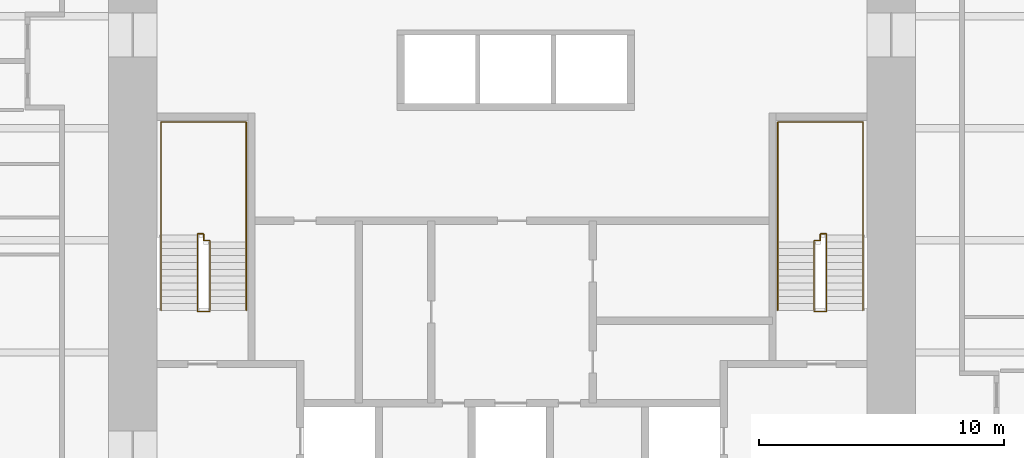
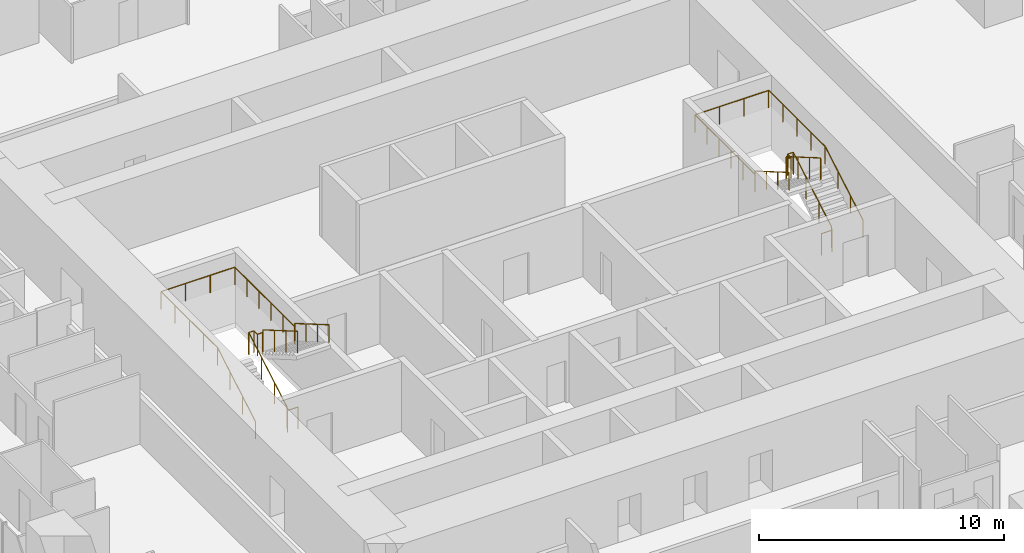
# One storey, part 13 of 13: 4 railings.
"""IFC4 building model written with IfcOpenShell, lengths in metres."""

import ifcopenshell
import ifcopenshell.guid

model = None  # the IFC model being written
_history = None  # IfcOwnerHistory: only IFC2X3 demands one
_inside = {}  # id of a spatial element -> (the spatial element, [elements in it])
_under = {}  # id of a project, library or spatial element -> (it, [spatial elements below it])
_declared = {}  # id of a project -> (the project, [libraries it declares])
_typed = {}  # id of a type object -> (the type object, [elements of that type])
_made_of = {}  # id of a material, layer set ... -> (it, [elements and type objects made of it])


def new_model(schema):
    """Start an empty IFC model of exactly this schema.

    Asked for "IFC4X3", IfcOpenShell would pick the latest addendum, in which some entities
    have other attributes; the version numbers below select the first issue.
    IFC2X3 requires an IfcOwnerHistory on every rooted entity: one is made here for all.
    """
    global model, _history
    if schema == "IFC4X3":
        model = ifcopenshell.file(schema_version=(4, 3, 0, 0))
    else:
        model = ifcopenshell.file(schema=schema)
    _inside.clear()
    _under.clear()
    _declared.clear()
    _typed.clear()
    _made_of.clear()
    _history = None
    if model.schema == "IFC2X3":
        org = make("IfcOrganization", Name="unknown")
        user = make(
            "IfcPersonAndOrganization",
            ThePerson=make("IfcPerson", FamilyName="unknown"),
            TheOrganization=org,
        )
        app = make(
            "IfcApplication",
            ApplicationDeveloper=org,
            Version="unknown",
            ApplicationFullName="unknown",
            ApplicationIdentifier="unknown",
        )
        _history = make(
            "IfcOwnerHistory",
            OwningUser=user,
            OwningApplication=app,
            ChangeAction="ADDED",
            CreationDate=0,
        )
    return model


def make(cls, **values):
    """One entity of the class cls with the attributes given. An attribute that is None is left unset."""
    return model.create_entity(
        cls, **{name: value for name, value in values.items() if value is not None}
    )


def rooted(cls, **values):
    """An entity with a GlobalId (a new one), such as an element, a storey or a relation."""
    return make(cls, GlobalId=ifcopenshell.guid.new(), OwnerHistory=_history, **values)


def si_unit(unit_type, name, prefix=None):
    """IfcSIUnit, for example si_unit("LENGTHUNIT", "METRE", prefix="MILLI")."""
    return make("IfcSIUnit", UnitType=unit_type, Prefix=prefix, Name=name)


def assignment(units):
    """IfcUnitAssignment: the units of a project."""
    return None if units is None else make("IfcUnitAssignment", Units=units)


def point(xyz):
    """IfcCartesianPoint."""
    return None if xyz is None else make("IfcCartesianPoint", Coordinates=xyz)


def direction(xyz):
    """IfcDirection."""
    return None if xyz is None else make("IfcDirection", DirectionRatios=xyz)


def frame(location, z_axis=None, x_axis=None):
    """IfcAxis2Placement3D, a coordinate frame: its origin and axes. An axis left out is left unset."""
    return make(
        "IfcAxis2Placement3D",
        Location=point(location),
        Axis=direction(z_axis),
        RefDirection=direction(x_axis),
    )


def frame_2d(location, x_axis=None):
    """IfcAxis2Placement2D, a coordinate frame in the plane: its origin and x axis."""
    return make(
        "IfcAxis2Placement2D", Location=point(location), RefDirection=direction(x_axis)
    )


def origin():
    """The frame at (0, 0, 0) with its axes left unset."""
    return frame((0.0, 0.0, 0.0))


def origin_2d():
    """The frame at (0, 0) in the plane with its x axis left unset."""
    return frame_2d((0.0, 0.0))


def place(relative_to, where):
    """IfcLocalPlacement: puts the frame where relative to a parent placement (None: the world)."""
    return make(
        "IfcLocalPlacement", PlacementRelTo=relative_to, RelativePlacement=where
    )


def context(
    kind, dimensions, precision=None, world=None, true_north=None, identifier=None
):
    """IfcGeometricRepresentationContext, for example the 3D "Model" context."""
    return make(
        "IfcGeometricRepresentationContext",
        ContextIdentifier=identifier,
        ContextType=kind,
        CoordinateSpaceDimension=dimensions,
        Precision=precision,
        WorldCoordinateSystem=world,
        TrueNorth=true_north,
    )


def subcontext(parent, identifier, kind, view, scale=None):
    """IfcGeometricRepresentationSubContext, for example "Body" below "Model"."""
    return make(
        "IfcGeometricRepresentationSubContext",
        ContextIdentifier=identifier,
        ContextType=kind,
        ParentContext=parent,
        TargetScale=scale,
        TargetView=view,
    )


def project(units=None, contexts=None):
    """IfcProject with its units and contexts."""
    return rooted(
        "IfcProject",
        Name="project",
        RepresentationContexts=contexts,
        UnitsInContext=assignment(units),
    )


def spatial(cls, under=None, at=None, **own):
    """A site, building, storey or space (cls), placed at a placement, below another one or the project."""
    s = rooted(cls, ObjectPlacement=at, **own)
    if under is not None:
        _under.setdefault(under.id(), (under, []))[1].append(s)
    return s


def profile(cls, at=None, kind="AREA", **sizes):
    """A parametric profile (cls). Its sizes go by their IFC names, for example OverallWidth=200.0."""
    return make(cls, ProfileType=kind, Position=at, **sizes)


def circle(**sizes):
    """IfcCircleProfileDef."""
    return profile("IfcCircleProfileDef", **sizes)


def extrude(swept, where, along, depth):
    """IfcExtrudedAreaSolid: the profile swept, set in the frame where, extruded along a direction by depth."""
    return make(
        "IfcExtrudedAreaSolid",
        SweptArea=swept,
        Position=where,
        ExtrudedDirection=direction(along),
        Depth=depth,
    )


def shape(context_of_items, identifier, shape_type, items):
    """IfcShapeRepresentation: the items that make up one representation, for example the "Body"."""
    return make(
        "IfcShapeRepresentation",
        ContextOfItems=context_of_items,
        RepresentationIdentifier=identifier,
        RepresentationType=shape_type,
        Items=items,
    )


def material(Name=None, Category=None):
    """IfcMaterial."""
    return make("IfcMaterial", Name=Name, Category=Category)


def made_of(thing, what):
    """Note that an element or type object is made of a material, layer set ...; save() writes the relation."""
    if what is not None:
        _made_of.setdefault(what.id(), (what, []))[1].append(thing)
    return thing


def type_object(cls, material=None, **own):
    """A type object (cls), such as IfcWallType, which elements share."""
    return made_of(rooted(cls, **own), material)


def element(
    cls,
    number,
    at=None,
    inside=None,
    cuts=None,
    type_object=None,
    material=None,
    context=None,
    identifier="Body",
    shape_type=None,
    held_by="IfcProductDefinitionShape",
    body=None,
    shapes=None,
    **own,
):
    """One element of the class cls, such as IfcWall. Its Tag is "e" and its number.

    at: its placement. inside: the storey or other place that contains it. cuts: it is an
    opening in that element (IfcRelVoidsElement). A single representation is given by context,
    identifier, shape_type and body (its items); several are given by shapes. held_by: the class
    of the entity that holds the representations. save() writes the other relations.
    """
    e = rooted(cls, Tag="e%d" % number, ObjectPlacement=at, **own)
    if body is not None:
        shapes = [shape(context, identifier, shape_type, body)]
    if shapes is not None:
        e.Representation = make(held_by, Representations=shapes)
    if inside is not None:
        _inside.setdefault(inside.id(), (inside, []))[1].append(e)
    if cuts is not None:
        rooted(
            "IfcRelVoidsElement", RelatingBuildingElement=cuts, RelatedOpeningElement=e
        )
    if type_object is not None:
        _typed.setdefault(type_object.id(), (type_object, []))[1].append(e)
    return made_of(e, material)


def aggregate(whole, parts):
    """IfcRelAggregates: a whole, such as a stair, and the parts it consists of."""
    return rooted("IfcRelAggregates", RelatingObject=whole, RelatedObjects=parts)


def save(model, path):
    """Write the relations noted so far, then the file.

    IfcRelAggregates (storeys below a building ...), IfcRelContainedInSpatialStructure (elements
    in a storey), IfcRelDefinesByType, IfcRelAssociatesMaterial and IfcRelDeclares: one each for
    every whole, place, type object, material and project.
    """
    for whole, parts in _under.values():
        aggregate(whole, parts)
    for where, things in _inside.values():
        rooted(
            "IfcRelContainedInSpatialStructure",
            RelatedElements=things,
            RelatingStructure=where,
        )
    for kind, things in _typed.values():
        rooted("IfcRelDefinesByType", RelatedObjects=things, RelatingType=kind)
    for what, things in _made_of.values():
        rooted("IfcRelAssociatesMaterial", RelatedObjects=things, RelatingMaterial=what)
    for by, libraries in _declared.values():
        rooted("IfcRelDeclares", RelatingContext=by, RelatedDefinitions=libraries)
    model.write(path)


model = new_model("IFC4")

# Units and contexts
model_context = context("Model", 3, precision=1e-05, world=origin(), true_north=direction((0.0, 1.0)))
body_context = subcontext(model_context, "Body", "Model", "MODEL_VIEW")
ifc_project = project(units=[si_unit("LENGTHUNIT", "METRE"), si_unit("AREAUNIT", "SQUARE_METRE"), si_unit("VOLUMEUNIT", "CUBIC_METRE"), si_unit("PLANEANGLEUNIT", "RADIAN"), si_unit("MASSUNIT", "GRAM", prefix="KILO")], contexts=[model_context])

# Site, building, storey
site_placement = place(None, origin())
site = spatial("IfcSite", under=ifc_project, at=site_placement, CompositionType="ELEMENT")
building_placement = place(site_placement, origin())
building = spatial("IfcBuilding", under=site, at=building_placement, Name="Khuree Lantern Residences", CompositionType="ELEMENT")
storey_placement = place(building_placement, frame((0.0, 0.0, 144.75)))
storey = spatial("IfcBuildingStorey", under=building, at=storey_placement, Name="L36", CompositionType="ELEMENT", Elevation=144.75)

# Railings
ifc_material = material(Name="Steel S355", Category="steel")
railing_type_1 = type_object("IfcRailingType", Name="STAIR GUARD G1 1100", PredefinedType="GUARDRAIL", material=ifc_material)
railing_1_placement = place(storey_placement, frame((-12.35009765625, -2.909912109375, 0.0)))
element("IfcRailing", 1, at=railing_1_placement, inside=storey, type_object=railing_type_1, Name="Stair ST1 guard", PredefinedType="GUARDRAIL", context=body_context, shape_type="SweptSolid", body=[
    extrude(circle(Radius=0.02392578125, at=origin_2d()), frame((0.0, 0.0, 1.076171875), z_axis=(-1.0, 0.0, 0.0), x_axis=(0.0, -1.0, 0.0)), (0.0, 0.0, 1.0), 0.5),
    extrude(circle(Radius=0.02392578125, at=origin_2d()), frame((-0.5, 0.0, 1.076171875), z_axis=(0.0, 0.292073035251, 0.95639601739), x_axis=(-1.0, 0.0, 0.0)), (0.0, 0.0, 1.0), 0.17041015625),
    extrude(circle(Radius=0.02392578125, at=origin_2d()), frame((-0.5, 0.0498046875, 1.2392578125), z_axis=(0.0, 0.864176135923, 0.503189433615), x_axis=(-1.0, 0.0, 0.0)), (0.0, 0.0, 1.0), 3.564208984375),
    extrude(circle(Radius=0.02392578125, at=origin_2d()), frame((-0.5, 3.1298828125, 3.03271484375), z_axis=(0.0, 1.0, 0.0), x_axis=(-1.0, 0.0, 0.0)), (0.0, 0.0, 1.0), 0.050048828125),
    extrude(circle(Radius=0.02392578125, at=origin_2d()), frame((-0.5, 3.179931640625, 3.03271484375), z_axis=(1.0, 0.0, 0.0), x_axis=(0.0, 1.0, 0.0)), (0.0, 0.0, 1.0), 0.25),
    extrude(circle(Radius=0.02392578125, at=origin_2d()), frame((-0.25, 3.179931640625, 3.03271484375), z_axis=(0.0, -1.0, 0.0), x_axis=(1.0, 0.0, 0.0)), (0.0, 0.0, 1.0), 0.280029296875),
    extrude(circle(Radius=0.02392578125, at=origin_2d()), frame((-0.25, 2.89990234375, 3.03271484375), z_axis=(1.0, 0.0, 0.0), x_axis=(0.0, 1.0, 0.0)), (0.0, 0.0, 1.0), 0.25),
    extrude(circle(Radius=0.02392578125, at=origin_2d()), frame((0.0, 2.89990234375, 3.03271484375), z_axis=(0.0, -0.293381807449, 0.955995353053), x_axis=(1.0, 0.0, 0.0)), (0.0, 0.0, 1.0), 0.170654296875),
    extrude(circle(Radius=0.02392578125, at=origin_2d()), frame((0.0, 2.849853515625, 3.19580078125), z_axis=(0.0, -0.864180358799, 0.503182181189), x_axis=(1.0, 0.0, 0.0)), (0.0, 0.0, 1.0), 3.240234375),
    extrude(circle(Radius=0.02099609375, at=origin_2d()), origin(), (0.0, 0.0, 1.0), 1.052001953125),
    extrude(circle(Radius=0.02099609375, at=origin_2d()), frame((-0.5, 0.0, 0.0)), (0.0, 0.0, 1.0), 1.052001953125),
    extrude(circle(Radius=0.02099609375, at=origin_2d()), frame((-0.5, 0.0498046875, 0.1630859375)), (0.0, 0.0, 1.0), 1.052001953125),
    extrude(circle(Radius=0.02099609375, at=origin_2d()), frame((-0.5, 1.076416015625, 0.760986328125)), (0.0, 0.0, 1.0), 1.052001953125),
    extrude(circle(Radius=0.02099609375, at=origin_2d()), frame((-0.5, 2.103271484375, 1.358642578125)), (0.0, 0.0, 1.0), 1.052001953125),
    extrude(circle(Radius=0.02099609375, at=origin_2d()), frame((-0.5, 3.1298828125, 1.95654296875)), (0.0, 0.0, 1.0), 1.052001953125),
    extrude(circle(Radius=0.02099609375, at=origin_2d()), frame((-0.5, 3.179931640625, 1.95654296875)), (0.0, 0.0, 1.0), 1.052001953125),
    extrude(circle(Radius=0.02099609375, at=origin_2d()), frame((-0.25, 3.179931640625, 1.95654296875)), (0.0, 0.0, 1.0), 1.052001953125),
    extrude(circle(Radius=0.02099609375, at=origin_2d()), frame((-0.25, 2.89990234375, 1.95654296875)), (0.0, 0.0, 1.0), 1.052001953125),
    extrude(circle(Radius=0.02099609375, at=origin_2d()), frame((0.0, 2.89990234375, 1.95654296875)), (0.0, 0.0, 1.0), 1.052001953125),
    extrude(circle(Radius=0.02099609375, at=origin_2d()), frame((0.0, 2.849853515625, 2.11962890625)), (0.0, 0.0, 1.0), 1.052001953125),
    extrude(circle(Radius=0.02099609375, at=origin_2d()), frame((0.0, 1.91650390625, 2.6630859375)), (0.0, 0.0, 1.0), 1.052001953125),
    extrude(circle(Radius=0.02099609375, at=origin_2d()), frame((0.0, 0.983154296875, 3.20654296875)), (0.0, 0.0, 1.0), 1.052001953125),
    extrude(circle(Radius=0.02099609375, at=origin_2d()), frame((0.0, 0.0498046875, 3.75)), (0.0, 0.0, 1.0), 1.052001953125),
])
railing_2_placement = place(storey_placement, frame((12.35009765625, -2.909912109375, 0.0)))
element("IfcRailing", 2, at=railing_2_placement, inside=storey, type_object=railing_type_1, Name="Stair ST2 guard", PredefinedType="GUARDRAIL", context=body_context, shape_type="SweptSolid", body=[
    extrude(circle(Radius=0.02392578125, at=origin_2d()), frame((0.0, 0.0, 1.076171875), z_axis=(1.0, 0.0, 0.0), x_axis=(0.0, 1.0, 0.0)), (0.0, 0.0, 1.0), 0.5),
    extrude(circle(Radius=0.02392578125, at=origin_2d()), frame((0.5, 0.0, 1.076171875), z_axis=(0.0, 0.292073035251, 0.95639601739), x_axis=(-1.0, 0.0, 0.0)), (0.0, 0.0, 1.0), 0.17041015625),
    extrude(circle(Radius=0.02392578125, at=origin_2d()), frame((0.5, 0.0498046875, 1.2392578125), z_axis=(0.0, 0.864176135923, 0.503189433615), x_axis=(-1.0, 0.0, 0.0)), (0.0, 0.0, 1.0), 3.564208984375),
    extrude(circle(Radius=0.02392578125, at=origin_2d()), frame((0.5, 3.1298828125, 3.03271484375), z_axis=(0.0, 1.0, 0.0), x_axis=(-1.0, 0.0, 0.0)), (0.0, 0.0, 1.0), 0.050048828125),
    extrude(circle(Radius=0.02392578125, at=origin_2d()), frame((0.5, 3.179931640625, 3.03271484375), z_axis=(-1.0, 0.0, 0.0), x_axis=(0.0, -1.0, 0.0)), (0.0, 0.0, 1.0), 0.25),
    extrude(circle(Radius=0.02392578125, at=origin_2d()), frame((0.25, 3.179931640625, 3.03271484375), z_axis=(0.0, -1.0, 0.0), x_axis=(1.0, 0.0, 0.0)), (0.0, 0.0, 1.0), 0.280029296875),
    extrude(circle(Radius=0.02392578125, at=origin_2d()), frame((0.25, 2.89990234375, 3.03271484375), z_axis=(-1.0, 0.0, 0.0), x_axis=(0.0, -1.0, 0.0)), (0.0, 0.0, 1.0), 0.25),
    extrude(circle(Radius=0.02392578125, at=origin_2d()), frame((0.0, 2.89990234375, 3.03271484375), z_axis=(0.0, -0.293381807449, 0.955995353053), x_axis=(1.0, 0.0, 0.0)), (0.0, 0.0, 1.0), 0.170654296875),
    extrude(circle(Radius=0.02392578125, at=origin_2d()), frame((0.0, 2.849853515625, 3.19580078125), z_axis=(0.0, -0.864180358799, 0.503182181189), x_axis=(1.0, 0.0, 0.0)), (0.0, 0.0, 1.0), 3.240234375),
    extrude(circle(Radius=0.02099609375, at=origin_2d()), origin(), (0.0, 0.0, 1.0), 1.052001953125),
    extrude(circle(Radius=0.02099609375, at=origin_2d()), frame((0.5, 0.0, 0.0)), (0.0, 0.0, 1.0), 1.052001953125),
    extrude(circle(Radius=0.02099609375, at=origin_2d()), frame((0.5, 0.0498046875, 0.1630859375)), (0.0, 0.0, 1.0), 1.052001953125),
    extrude(circle(Radius=0.02099609375, at=origin_2d()), frame((0.5, 1.076416015625, 0.760986328125)), (0.0, 0.0, 1.0), 1.052001953125),
    extrude(circle(Radius=0.02099609375, at=origin_2d()), frame((0.5, 2.103271484375, 1.358642578125)), (0.0, 0.0, 1.0), 1.052001953125),
    extrude(circle(Radius=0.02099609375, at=origin_2d()), frame((0.5, 3.1298828125, 1.95654296875)), (0.0, 0.0, 1.0), 1.052001953125),
    extrude(circle(Radius=0.02099609375, at=origin_2d()), frame((0.5, 3.179931640625, 1.95654296875)), (0.0, 0.0, 1.0), 1.052001953125),
    extrude(circle(Radius=0.02099609375, at=origin_2d()), frame((0.25, 3.179931640625, 1.95654296875)), (0.0, 0.0, 1.0), 1.052001953125),
    extrude(circle(Radius=0.02099609375, at=origin_2d()), frame((0.25, 2.89990234375, 1.95654296875)), (0.0, 0.0, 1.0), 1.052001953125),
    extrude(circle(Radius=0.02099609375, at=origin_2d()), frame((0.0, 2.89990234375, 1.95654296875)), (0.0, 0.0, 1.0), 1.052001953125),
    extrude(circle(Radius=0.02099609375, at=origin_2d()), frame((0.0, 2.849853515625, 2.11962890625)), (0.0, 0.0, 1.0), 1.052001953125),
    extrude(circle(Radius=0.02099609375, at=origin_2d()), frame((0.0, 1.91650390625, 2.6630859375)), (0.0, 0.0, 1.0), 1.052001953125),
    extrude(circle(Radius=0.02099609375, at=origin_2d()), frame((0.0, 0.983154296875, 3.20654296875)), (0.0, 0.0, 1.0), 1.052001953125),
    extrude(circle(Radius=0.02099609375, at=origin_2d()), frame((0.0, 0.0498046875, 3.75)), (0.0, 0.0, 1.0), 1.052001953125),
])
railing_type_2 = type_object("IfcRailingType", Name="STAIR HANDRAIL H1 900", PredefinedType="HANDRAIL", material=ifc_material)
railing_3_placement = place(storey_placement, frame((-14.340087890625, -2.860107421875, 0.1630859375)))
element("IfcRailing", 3, at=railing_3_placement, inside=storey, type_object=railing_type_2, Name="Stair ST1 handrail", PredefinedType="HANDRAIL", context=body_context, shape_type="SweptSolid", body=[
    extrude(circle(Radius=0.02392578125, at=origin_2d()), frame((0.0, 0.0, 0.8759765625), z_axis=(0.0, 0.864176135923, 0.503189433615), x_axis=(-1.0, 0.0, 0.0)), (0.0, 0.0, 1.0), 3.564208984375),
    extrude(circle(Radius=0.02392578125, at=origin_2d()), frame((0.0, 3.080078125, 2.66943359375), z_axis=(0.0, 1.0, 0.0), x_axis=(-1.0, 0.0, 0.0)), (0.0, 0.0, 1.0), 4.6201171875),
    extrude(circle(Radius=0.02392578125, at=origin_2d()), frame((0.0, 7.7001953125, 2.66943359375), z_axis=(1.0, 0.0, 0.0), x_axis=(0.0, 1.0, 0.0)), (0.0, 0.0, 1.0), 3.47998046875),
    extrude(circle(Radius=0.02392578125, at=origin_2d()), frame((3.47998046875, 7.7001953125, 2.66943359375), z_axis=(0.0, -1.0, 0.0), x_axis=(1.0, 0.0, 0.0)), (0.0, 0.0, 1.0), 4.900146484375),
    extrude(circle(Radius=0.02392578125, at=origin_2d()), frame((3.47998046875, 2.800048828125, 2.66943359375), z_axis=(0.0, 0.0, 1.0), x_axis=(1.0, 0.0, 0.0)), (0.0, 0.0, 1.0), 0.1630859375),
    extrude(circle(Radius=0.02392578125, at=origin_2d()), frame((3.47998046875, 2.800048828125, 2.83251953125), z_axis=(0.0, -0.864180358799, 0.503182181189), x_axis=(1.0, 0.0, 0.0)), (0.0, 0.0, 1.0), 3.240234375),
    extrude(circle(Radius=0.02099609375, at=origin_2d()), origin(), (0.0, 0.0, 1.0), 0.851806640625),
    extrude(circle(Radius=0.02099609375, at=origin_2d()), frame((0.0, 1.026611328125, 0.597900390625)), (0.0, 0.0, 1.0), 0.851806640625),
    extrude(circle(Radius=0.02099609375, at=origin_2d()), frame((0.0, 2.053466796875, 1.195556640625)), (0.0, 0.0, 1.0), 0.851806640625),
    extrude(circle(Radius=0.02099609375, at=origin_2d()), frame((0.0, 3.080078125, 1.79345703125)), (0.0, 0.0, 1.0), 0.851806640625),
    extrude(circle(Radius=0.02099609375, at=origin_2d()), frame((0.0, 4.235107421875, 1.79345703125)), (0.0, 0.0, 1.0), 0.851806640625),
    extrude(circle(Radius=0.02099609375, at=origin_2d()), frame((0.0, 5.39013671875, 1.79345703125)), (0.0, 0.0, 1.0), 0.851806640625),
    extrude(circle(Radius=0.02099609375, at=origin_2d()), frame((0.0, 6.545166015625, 1.79345703125)), (0.0, 0.0, 1.0), 0.851806640625),
    extrude(circle(Radius=0.02099609375, at=origin_2d()), frame((0.0, 7.7001953125, 1.79345703125)), (0.0, 0.0, 1.0), 0.851806640625),
    extrude(circle(Radius=0.02099609375, at=origin_2d()), frame((1.159912109375, 7.7001953125, 1.79345703125)), (0.0, 0.0, 1.0), 0.851806640625),
    extrude(circle(Radius=0.02099609375, at=origin_2d()), frame((2.320068359375, 7.7001953125, 1.79345703125)), (0.0, 0.0, 1.0), 0.851806640625),
    extrude(circle(Radius=0.02099609375, at=origin_2d()), frame((3.47998046875, 7.7001953125, 1.79345703125)), (0.0, 0.0, 1.0), 0.851806640625),
    extrude(circle(Radius=0.02099609375, at=origin_2d()), frame((3.47998046875, 6.72021484375, 1.79345703125)), (0.0, 0.0, 1.0), 0.851806640625),
    extrude(circle(Radius=0.02099609375, at=origin_2d()), frame((3.47998046875, 5.740234375, 1.79345703125)), (0.0, 0.0, 1.0), 0.851806640625),
    extrude(circle(Radius=0.02099609375, at=origin_2d()), frame((3.47998046875, 4.760009765625, 1.79345703125)), (0.0, 0.0, 1.0), 0.851806640625),
    extrude(circle(Radius=0.02099609375, at=origin_2d()), frame((3.47998046875, 3.780029296875, 1.79345703125)), (0.0, 0.0, 1.0), 0.851806640625),
    extrude(circle(Radius=0.02099609375, at=origin_2d()), frame((3.47998046875, 2.800048828125, 1.79345703125)), (0.0, 0.0, 1.0), 0.851806640625),
    extrude(circle(Radius=0.02099609375, at=origin_2d()), frame((3.47998046875, 2.800048828125, 1.95654296875)), (0.0, 0.0, 1.0), 0.851806640625),
    extrude(circle(Radius=0.02099609375, at=origin_2d()), frame((3.47998046875, 1.86669921875, 2.5)), (0.0, 0.0, 1.0), 0.851806640625),
    extrude(circle(Radius=0.02099609375, at=origin_2d()), frame((3.47998046875, 0.933349609375, 3.04345703125)), (0.0, 0.0, 1.0), 0.851806640625),
    extrude(circle(Radius=0.02099609375, at=origin_2d()), frame((3.47998046875, 0.0, 3.5869140625)), (0.0, 0.0, 1.0), 0.851806640625),
])
railing_4_placement = place(storey_placement, frame((14.340087890625, -2.860107421875, 0.1630859375)))
element("IfcRailing", 4, at=railing_4_placement, inside=storey, type_object=railing_type_2, Name="Stair ST2 handrail", PredefinedType="HANDRAIL", context=body_context, shape_type="SweptSolid", body=[
    extrude(circle(Radius=0.02392578125, at=origin_2d()), frame((0.0, 0.0, 0.8759765625), z_axis=(0.0, 0.864176135923, 0.503189433615), x_axis=(-1.0, 0.0, 0.0)), (0.0, 0.0, 1.0), 3.564208984375),
    extrude(circle(Radius=0.02392578125, at=origin_2d()), frame((0.0, 3.080078125, 2.66943359375), z_axis=(0.0, 1.0, 0.0), x_axis=(-1.0, 0.0, 0.0)), (0.0, 0.0, 1.0), 4.6201171875),
    extrude(circle(Radius=0.02392578125, at=origin_2d()), frame((0.0, 7.7001953125, 2.66943359375), z_axis=(-1.0, 0.0, 0.0), x_axis=(0.0, -1.0, 0.0)), (0.0, 0.0, 1.0), 3.47998046875),
    extrude(circle(Radius=0.02392578125, at=origin_2d()), frame((-3.47998046875, 7.7001953125, 2.66943359375), z_axis=(0.0, -1.0, 0.0), x_axis=(1.0, 0.0, 0.0)), (0.0, 0.0, 1.0), 4.900146484375),
    extrude(circle(Radius=0.02392578125, at=origin_2d()), frame((-3.47998046875, 2.800048828125, 2.66943359375), z_axis=(0.0, 0.0, 1.0), x_axis=(1.0, 0.0, 0.0)), (0.0, 0.0, 1.0), 0.1630859375),
    extrude(circle(Radius=0.02392578125, at=origin_2d()), frame((-3.47998046875, 2.800048828125, 2.83251953125), z_axis=(0.0, -0.864180358799, 0.503182181189), x_axis=(1.0, 0.0, 0.0)), (0.0, 0.0, 1.0), 3.240234375),
    extrude(circle(Radius=0.02099609375, at=origin_2d()), origin(), (0.0, 0.0, 1.0), 0.851806640625),
    extrude(circle(Radius=0.02099609375, at=origin_2d()), frame((0.0, 1.026611328125, 0.597900390625)), (0.0, 0.0, 1.0), 0.851806640625),
    extrude(circle(Radius=0.02099609375, at=origin_2d()), frame((0.0, 2.053466796875, 1.195556640625)), (0.0, 0.0, 1.0), 0.851806640625),
    extrude(circle(Radius=0.02099609375, at=origin_2d()), frame((0.0, 3.080078125, 1.79345703125)), (0.0, 0.0, 1.0), 0.851806640625),
    extrude(circle(Radius=0.02099609375, at=origin_2d()), frame((0.0, 4.235107421875, 1.79345703125)), (0.0, 0.0, 1.0), 0.851806640625),
    extrude(circle(Radius=0.02099609375, at=origin_2d()), frame((0.0, 5.39013671875, 1.79345703125)), (0.0, 0.0, 1.0), 0.851806640625),
    extrude(circle(Radius=0.02099609375, at=origin_2d()), frame((0.0, 6.545166015625, 1.79345703125)), (0.0, 0.0, 1.0), 0.851806640625),
    extrude(circle(Radius=0.02099609375, at=origin_2d()), frame((0.0, 7.7001953125, 1.79345703125)), (0.0, 0.0, 1.0), 0.851806640625),
    extrude(circle(Radius=0.02099609375, at=origin_2d()), frame((-1.159912109375, 7.7001953125, 1.79345703125)), (0.0, 0.0, 1.0), 0.851806640625),
    extrude(circle(Radius=0.02099609375, at=origin_2d()), frame((-2.320068359375, 7.7001953125, 1.79345703125)), (0.0, 0.0, 1.0), 0.851806640625),
    extrude(circle(Radius=0.02099609375, at=origin_2d()), frame((-3.47998046875, 7.7001953125, 1.79345703125)), (0.0, 0.0, 1.0), 0.851806640625),
    extrude(circle(Radius=0.02099609375, at=origin_2d()), frame((-3.47998046875, 6.72021484375, 1.79345703125)), (0.0, 0.0, 1.0), 0.851806640625),
    extrude(circle(Radius=0.02099609375, at=origin_2d()), frame((-3.47998046875, 5.740234375, 1.79345703125)), (0.0, 0.0, 1.0), 0.851806640625),
    extrude(circle(Radius=0.02099609375, at=origin_2d()), frame((-3.47998046875, 4.760009765625, 1.79345703125)), (0.0, 0.0, 1.0), 0.851806640625),
    extrude(circle(Radius=0.02099609375, at=origin_2d()), frame((-3.47998046875, 3.780029296875, 1.79345703125)), (0.0, 0.0, 1.0), 0.851806640625),
    extrude(circle(Radius=0.02099609375, at=origin_2d()), frame((-3.47998046875, 2.800048828125, 1.79345703125)), (0.0, 0.0, 1.0), 0.851806640625),
    extrude(circle(Radius=0.02099609375, at=origin_2d()), frame((-3.47998046875, 2.800048828125, 1.95654296875)), (0.0, 0.0, 1.0), 0.851806640625),
    extrude(circle(Radius=0.02099609375, at=origin_2d()), frame((-3.47998046875, 1.86669921875, 2.5)), (0.0, 0.0, 1.0), 0.851806640625),
    extrude(circle(Radius=0.02099609375, at=origin_2d()), frame((-3.47998046875, 0.933349609375, 3.04345703125)), (0.0, 0.0, 1.0), 0.851806640625),
    extrude(circle(Radius=0.02099609375, at=origin_2d()), frame((-3.47998046875, 0.0, 3.5869140625)), (0.0, 0.0, 1.0), 0.851806640625),
])

save(model, "model.ifc")
